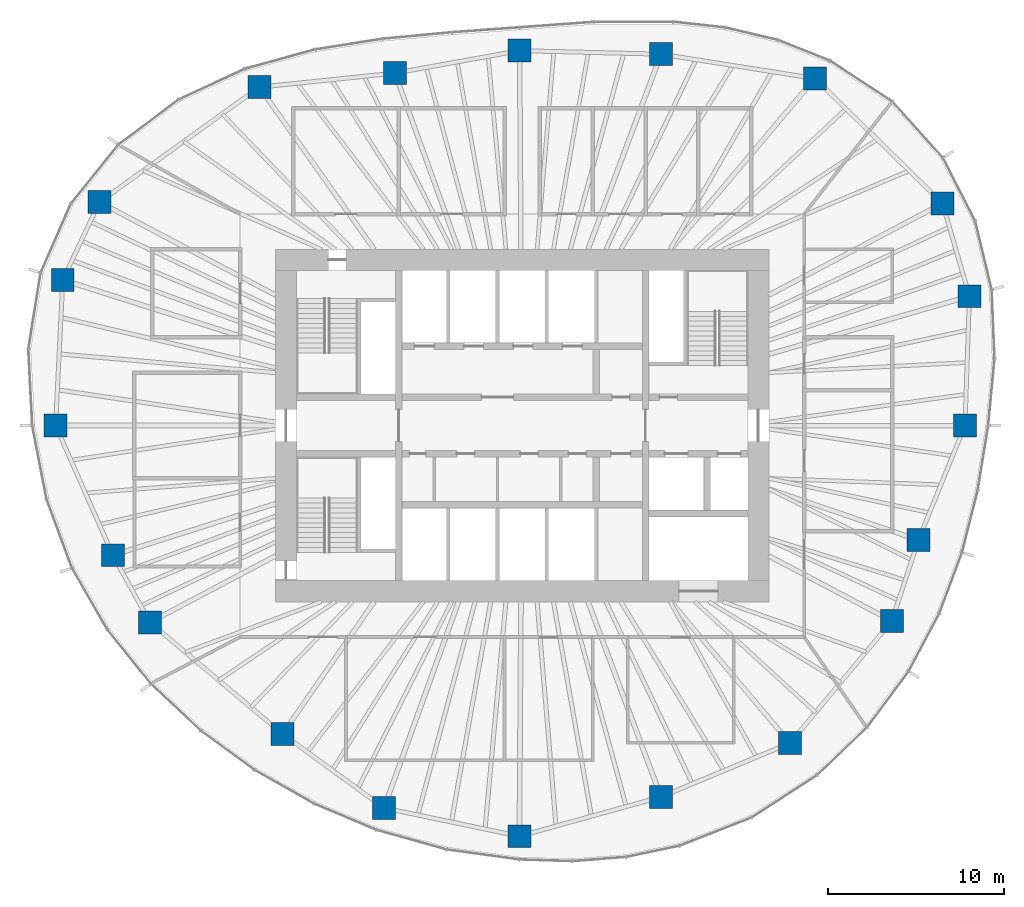
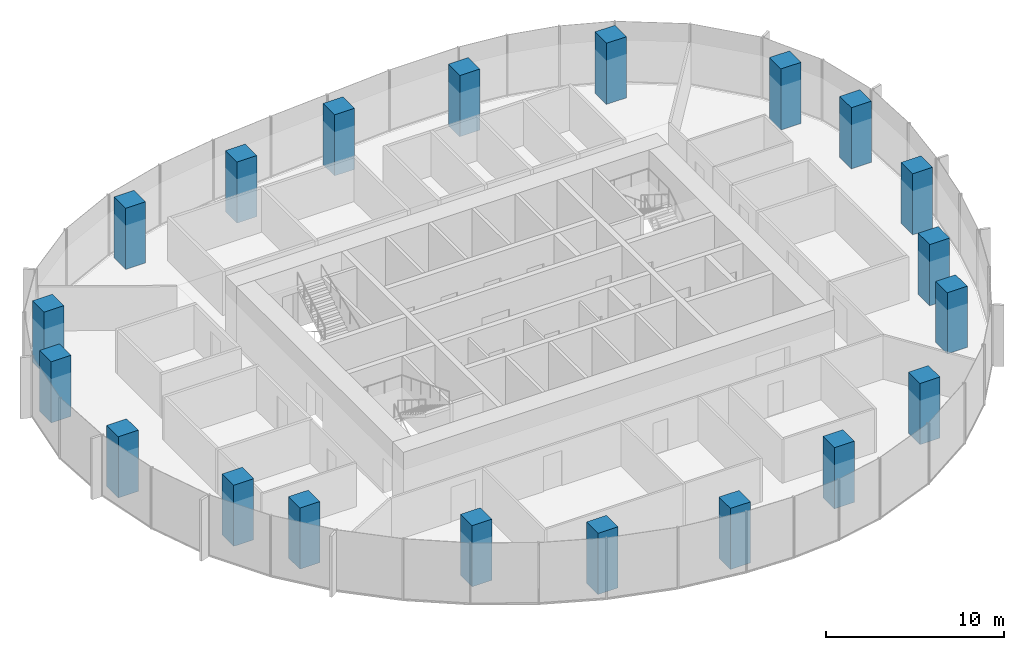
# One storey, part 1 of 11: 20 columns.
"""IFC4 building model written with IfcOpenShell, lengths in metres."""

from ifc_helpers import new_model, si_unit, direction, frame, origin, origin_2d, place, context, subcontext, project, spatial, rectangle, extrude, material, material_profile, profile_set, type_object, element, save


model = new_model("IFC4")

# Units and contexts
model_context = context("Model", 3, precision=1e-05, world=origin(), true_north=direction((0.0, 1.0)))
body_context = subcontext(model_context, "Body", "Model", "MODEL_VIEW")
ifc_project = project(units=[si_unit("LENGTHUNIT", "METRE"), si_unit("AREAUNIT", "SQUARE_METRE"), si_unit("VOLUMEUNIT", "CUBIC_METRE"), si_unit("PLANEANGLEUNIT", "RADIAN"), si_unit("MASSUNIT", "GRAM", prefix="KILO")], contexts=[model_context])

# Site, building, storey
site_placement = place(None, origin())
site = spatial("IfcSite", under=ifc_project, at=site_placement, CompositionType="ELEMENT")
building_placement = place(site_placement, origin())
building = spatial("IfcBuilding", under=site, at=building_placement, Name="Ghaith Harvest Tower", CompositionType="ELEMENT")
storey_placement = place(building_placement, frame((0.0, 0.0, 220.0)))
storey = spatial("IfcBuildingStorey", under=building, at=storey_placement, Name="L48", CompositionType="ELEMENT", Elevation=220.0)

# Columns
ifc_material = material(Name="Concrete C60/75", Category="concrete")
ifc_material_profile = material_profile(ifc_material, rectangle(XDim=1.300048828125, YDim=1.300048828125, at=origin_2d()), Name="RC1300X1300")
ifc_profile_set = profile_set([ifc_material_profile], Name="Concrete C60/75")
column_type = type_object("IfcColumnType", Name="TC5 RC1300X1300", PredefinedType="COLUMN", material=ifc_profile_set)
for number, where, z_axis, x_axis, name in (
    (1, (25.125, 0.0, 0.0), (0.0, 0.0, 1.0), (1.0, 0.0, 0.0), "Perimeter column C01"),
    (2, (25.3779296875, 7.3349609375, 0.0), (0.0, 0.0, 1.0), (1.0, 0.0, 0.0), "Perimeter column C02"),
    (3, (23.85205078125, 12.60693359375, 0.0), (0.0, 0.0, 1.0), (1.0, 0.0, 0.0), "Perimeter column C03"),
    (4, (16.60791015625, 19.695068359375, 0.0), (0.0, 0.0, 1.0), (1.0, 0.0, 0.0), "Perimeter column C04"),
    (5, (7.8779296875, 21.072021484375, 0.0), (0.0, 0.0, 1.0), (1.0, 0.0, 0.0), "Perimeter column C05"),
    (6, (-0.14599609375, 21.27099609375, 0.0), (0.0, 0.0, 1.0), (1.0, 0.0, 0.0), "Perimeter column C06"),
    (7, (-7.221923828125, 19.9970703125, 0.0), (0.0, 0.0, 1.0), (1.0, 0.0, 0.0), "Perimeter column C07"),
    (8, (-14.910888671875, 19.199951171875, 0.0), (0.0, 0.0, 1.0), (1.0, 0.0, 0.0), "Perimeter column C08"),
    (9, (-23.986083984375, 12.677978515625, 0.0), (0.0, 0.0, 1.0), (1.0, 0.0, 0.0), "Perimeter column C09"),
    (10, (-26.06689453125, 8.260986328125, 0.0), (0.0, 0.0, 1.0), (1.0, 0.0, 0.0), "Perimeter column C10"),
    (11, (-26.47509765625, 0.0, 0.0), (0.0, 0.0, 1.0), (1.0, 0.0, 0.0), "Perimeter column C11"),
    (12, (-23.22412109375, -7.360107421875, 0.0), (0.0, 0.0, 1.0), (1.0, 0.0, 0.0), "Perimeter column C12"),
    (13, (-21.125, -11.166015625, 0.0), (0.0, 0.0, 1.0), (1.0, 0.0, 0.0), "Perimeter column C13"),
    (14, (-13.594970703125, -17.5048828125, 0.0), (0.0, 0.0, 1.0), (1.0, 0.0, 0.0), "Perimeter column C14"),
    (15, (-7.837890625, -21.699951171875, 0.0), (0.0, 0.0, 1.0), (1.0, 0.0, 0.0), "Perimeter column C15"),
    (16, (-0.158935546875, -23.304931640625, 0.0), (0.0, 0.0, 1.0), (1.0, 0.0, 0.0), "Perimeter column C16"),
    (17, (7.8779296875, -21.072021484375, 0.0), (0.0, 0.0, 1.0), (1.0, 0.0, 0.0), "Perimeter column C17"),
    (18, (15.197998046875, -18.02294921875, 0.0), (0.0, 0.0, 1.0), (1.0, 0.0, 0.0), "Perimeter column C18"),
    (19, (20.97705078125, -11.087890625, 0.0), (0.0, 0.0, 1.0), (1.0, 0.0, 0.0), "Perimeter column C19"),
    (20, (22.485107421875, -6.4990234375, 0.0), (0.0, 0.0, 1.0), (1.0, 0.0, 0.0), "Perimeter column C20"),
):
    element("IfcColumn", number, at=place(storey_placement, frame(where, z_axis=z_axis, x_axis=x_axis)), inside=storey, type_object=column_type, Name=name, PredefinedType="COLUMN", context=body_context, shape_type="SweptSolid", body=[
        extrude(rectangle(XDim=1.300048828125, YDim=1.300048828125, at=origin_2d()), origin(), (0.0, 0.0, 1.0), 4.199951171875),
    ])

save(model, "model.ifc")
